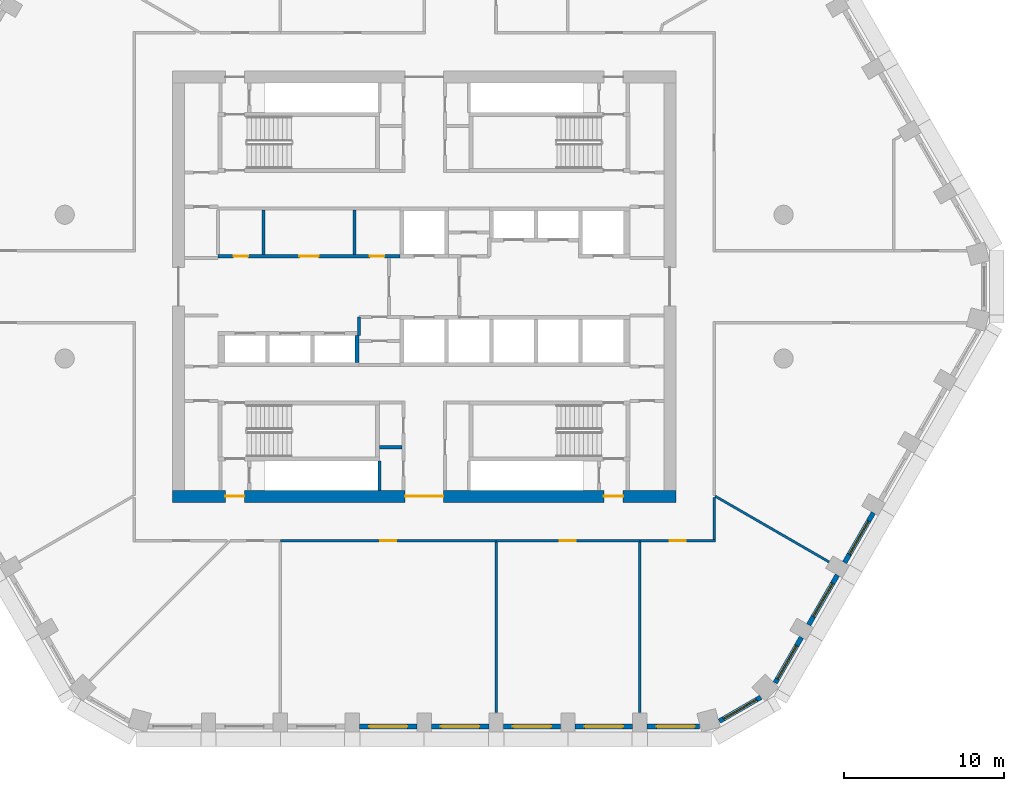
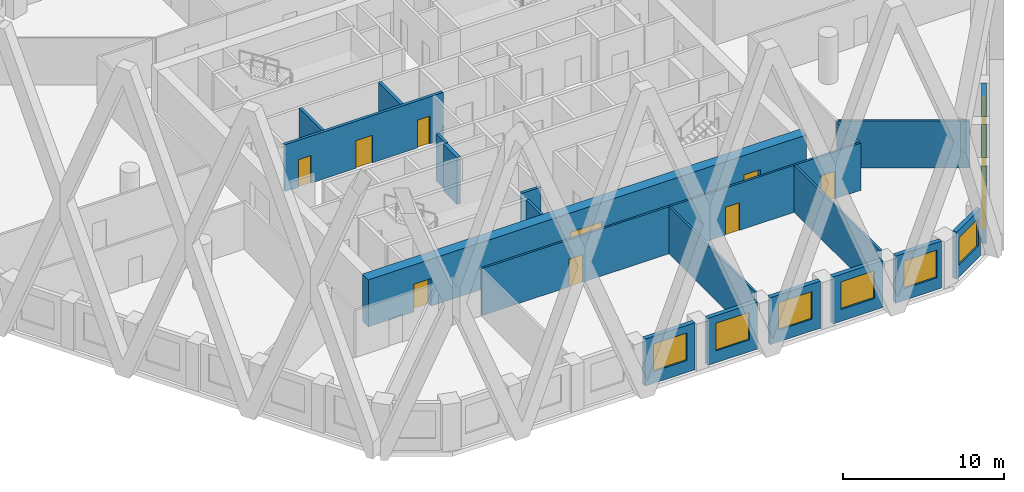
# One storey, part 3 of 17: 24 walls, 9 doors, 9 windows, 18 openings.
"""IFC4 building model written with IfcOpenShell, lengths in metres."""

from ifc_helpers import new_model, si_unit, direction, frame, frame_2d, origin, place, context, subcontext, project, spatial, polyline, rectangle, outline, extrude, material, layer, layer_set, type_object, element, fill, save


model = new_model("IFC4")

# Units and contexts
model_context = context("Model", 3, precision=1e-05, world=origin(), true_north=direction((0.0, 1.0)))
body_context = subcontext(model_context, "Body", "Model", "MODEL_VIEW")
ifc_project = project(units=[si_unit("LENGTHUNIT", "METRE"), si_unit("AREAUNIT", "SQUARE_METRE"), si_unit("VOLUMEUNIT", "CUBIC_METRE"), si_unit("PLANEANGLEUNIT", "RADIAN"), si_unit("MASSUNIT", "GRAM", prefix="KILO")], contexts=[model_context])

# Site, building, storey
site_placement = place(None, origin())
site = spatial("IfcSite", under=ifc_project, at=site_placement, CompositionType="ELEMENT")
building_placement = place(site_placement, origin())
building = spatial("IfcBuilding", under=site, at=building_placement, Name="Dhurran Vertical Campus", CompositionType="ELEMENT")
storey_placement = place(building_placement, frame((0.0, 0.0, 156.0)))
storey = spatial("IfcBuildingStorey", under=building, at=storey_placement, Name="L38", CompositionType="ELEMENT", Elevation=156.0)

# Wall, opening, window
ifc_material_1 = material(Name="Precast concrete C50/60", Category="concrete")
ifc_layer_1 = layer(ifc_material_1, 0.300048828125)
ifc_layer_set_1 = layer_set([ifc_layer_1], Name="Precast concrete C50/60")
wall_type_1 = type_object("IfcWallType", Name="Precast spandrel wall 300", PredefinedType="SOLIDWALL", material=ifc_layer_set_1)
wall_1_placement = place(storey_placement, frame((-4.049560546875, -27.53271484375, 0.0), z_axis=(0.0, 0.0, 1.0), x_axis=(1.0, 0.0, 0.0)))
wall_1 = element("IfcWall", 1, at=wall_1_placement, inside=storey, type_object=wall_type_1, Name="EW1 L38.03", PredefinedType="SOLIDWALL", context=body_context, shape_type="SweptSolid", body=[
    extrude(rectangle(XDim=3.59912109375, YDim=0.300048828125, at=frame_2d((1.799560546875, 0.0))), origin(), (0.0, 0.0, 1.0), 3.574951171875),
])
opening_1_placement = place(wall_1_placement, frame((0.599609375, 0.0, 0.89990234375)))
opening_1 = element("IfcOpeningElement", 2, at=opening_1_placement, cuts=wall_1, Name="Opening WT1", PredefinedType="OPENING", context=body_context, shape_type="SweptSolid", body=[
    extrude(rectangle(XDim=2.39990234375, YDim=2.10009765625, at=frame_2d((1.199951171875, 1.050048828125))), frame((0.0, 0.159912109375, 0.0), z_axis=(0.0, -1.0, 0.0), x_axis=(1.0, 0.0, 0.0)), (0.0, 0.0, 1.0), 0.320068359375),
])
ifc_material_2 = material(Name="Aluminium frame with solar-control glass", Category="aluminium")
window_type = type_object("IfcWindowType", Name="Punched window 2400 x 2100", PartitioningType="SINGLE_PANEL", PredefinedType="WINDOW", material=ifc_material_2)
window_1_placement = place(opening_1_placement, origin())
window_1 = element("IfcWindow", 3, at=window_1_placement, inside=storey, type_object=window_type, Name="WT1 L38.03", OverallHeight=2.10009765625, OverallWidth=2.39990234375, PartitioningType="SINGLE_PANEL", PredefinedType="WINDOW", context=body_context, shape_type="SweptSolid", body=[
    extrude(rectangle(XDim=2.39990234375, YDim=2.10009765625, at=frame_2d((1.199951171875, 1.050048828125))), frame((0.0, 0.030029296875, 0.0), z_axis=(0.0, -1.0, 0.0), x_axis=(1.0, 0.0, 0.0)), (0.0, 0.0, 1.0), 0.06005859375),
])
fill(opening_1, window_1)

wall_2_placement = place(storey_placement, frame((0.450439453125, -27.53271484375, 0.0), z_axis=(0.0, 0.0, 1.0), x_axis=(1.0, 0.0, 0.0)))
wall_2 = element("IfcWall", 4, at=wall_2_placement, inside=storey, type_object=wall_type_1, Name="EW1 L38.04", PredefinedType="SOLIDWALL", context=body_context, shape_type="SweptSolid", body=[
    extrude(rectangle(XDim=3.59912109375, YDim=0.300048828125, at=frame_2d((1.799560546875, 0.0))), origin(), (0.0, 0.0, 1.0), 3.574951171875),
])
opening_2_placement = place(wall_2_placement, frame((0.599609375, 0.0, 0.89990234375)))
opening_2 = element("IfcOpeningElement", 5, at=opening_2_placement, cuts=wall_2, Name="Opening WT1", PredefinedType="OPENING", context=body_context, shape_type="SweptSolid", body=[
    extrude(rectangle(XDim=2.39990234375, YDim=2.10009765625, at=frame_2d((1.199951171875, 1.050048828125))), frame((0.0, 0.159912109375, 0.0), z_axis=(0.0, -1.0, 0.0), x_axis=(1.0, 0.0, 0.0)), (0.0, 0.0, 1.0), 0.320068359375),
])
window_2_placement = place(opening_2_placement, origin())
window_2 = element("IfcWindow", 6, at=window_2_placement, inside=storey, type_object=window_type, Name="WT1 L38.04", OverallHeight=2.10009765625, OverallWidth=2.39990234375, PartitioningType="SINGLE_PANEL", PredefinedType="WINDOW", context=body_context, shape_type="SweptSolid", body=[
    extrude(rectangle(XDim=2.39990234375, YDim=2.10009765625, at=frame_2d((1.199951171875, 1.050048828125))), frame((0.0, 0.030029296875, 0.0), z_axis=(0.0, -1.0, 0.0), x_axis=(1.0, 0.0, 0.0)), (0.0, 0.0, 1.0), 0.06005859375),
])
fill(opening_2, window_2)

wall_3_placement = place(storey_placement, frame((4.950439453125, -27.53271484375, 0.0), z_axis=(0.0, 0.0, 1.0), x_axis=(1.0, 0.0, 0.0)))
wall_3 = element("IfcWall", 7, at=wall_3_placement, inside=storey, type_object=wall_type_1, Name="EW1 L38.05", PredefinedType="SOLIDWALL", context=body_context, shape_type="SweptSolid", body=[
    extrude(rectangle(XDim=3.59912109375, YDim=0.300048828125, at=frame_2d((1.799560546875, 0.0))), origin(), (0.0, 0.0, 1.0), 3.574951171875),
])
opening_3_placement = place(wall_3_placement, frame((0.599609375, 0.0, 0.89990234375)))
opening_3 = element("IfcOpeningElement", 8, at=opening_3_placement, cuts=wall_3, Name="Opening WT1", PredefinedType="OPENING", context=body_context, shape_type="SweptSolid", body=[
    extrude(rectangle(XDim=2.39990234375, YDim=2.10009765625, at=frame_2d((1.199951171875, 1.050048828125))), frame((0.0, 0.159912109375, 0.0), z_axis=(0.0, -1.0, 0.0), x_axis=(1.0, 0.0, 0.0)), (0.0, 0.0, 1.0), 0.320068359375),
])
window_3_placement = place(opening_3_placement, origin())
window_3 = element("IfcWindow", 9, at=window_3_placement, inside=storey, type_object=window_type, Name="WT1 L38.05", OverallHeight=2.10009765625, OverallWidth=2.39990234375, PartitioningType="SINGLE_PANEL", PredefinedType="WINDOW", context=body_context, shape_type="SweptSolid", body=[
    extrude(rectangle(XDim=2.39990234375, YDim=2.10009765625, at=frame_2d((1.199951171875, 1.050048828125))), frame((0.0, 0.030029296875, 0.0), z_axis=(0.0, -1.0, 0.0), x_axis=(1.0, 0.0, 0.0)), (0.0, 0.0, 1.0), 0.06005859375),
])
fill(opening_3, window_3)

wall_4_placement = place(storey_placement, frame((9.450439453125, -27.53271484375, 0.0), z_axis=(0.0, 0.0, 1.0), x_axis=(1.0, 0.0, 0.0)))
wall_4 = element("IfcWall", 10, at=wall_4_placement, inside=storey, type_object=wall_type_1, Name="EW1 L38.06", PredefinedType="SOLIDWALL", context=body_context, shape_type="SweptSolid", body=[
    extrude(rectangle(XDim=3.59912109375, YDim=0.300048828125, at=frame_2d((1.799560546875, 0.0))), origin(), (0.0, 0.0, 1.0), 3.574951171875),
])
opening_4_placement = place(wall_4_placement, frame((0.599609375, 0.0, 0.89990234375)))
opening_4 = element("IfcOpeningElement", 11, at=opening_4_placement, cuts=wall_4, Name="Opening WT1", PredefinedType="OPENING", context=body_context, shape_type="SweptSolid", body=[
    extrude(rectangle(XDim=2.39990234375, YDim=2.10009765625, at=frame_2d((1.199951171875, 1.050048828125))), frame((0.0, 0.159912109375, 0.0), z_axis=(0.0, -1.0, 0.0), x_axis=(1.0, 0.0, 0.0)), (0.0, 0.0, 1.0), 0.320068359375),
])
window_4_placement = place(opening_4_placement, origin())
window_4 = element("IfcWindow", 12, at=window_4_placement, inside=storey, type_object=window_type, Name="WT1 L38.06", OverallHeight=2.10009765625, OverallWidth=2.39990234375, PartitioningType="SINGLE_PANEL", PredefinedType="WINDOW", context=body_context, shape_type="SweptSolid", body=[
    extrude(rectangle(XDim=2.39990234375, YDim=2.10009765625, at=frame_2d((1.199951171875, 1.050048828125))), frame((0.0, 0.030029296875, 0.0), z_axis=(0.0, -1.0, 0.0), x_axis=(1.0, 0.0, 0.0)), (0.0, 0.0, 1.0), 0.06005859375),
])
fill(opening_4, window_4)

wall_5_placement = place(storey_placement, frame((13.950439453125, -27.53271484375, 0.0), z_axis=(0.0, 0.0, 1.0), x_axis=(1.0, 0.0, 0.0)))
wall_5 = element("IfcWall", 13, at=wall_5_placement, inside=storey, type_object=wall_type_1, Name="EW1 L38.07", PredefinedType="SOLIDWALL", context=body_context, shape_type="SweptSolid", body=[
    extrude(rectangle(XDim=3.294189453125, YDim=0.300048828125, at=frame_2d((1.64697265625, 0.0))), origin(), (0.0, 0.0, 1.0), 3.574951171875),
])
opening_5_placement = place(wall_5_placement, frame((0.599609375, 0.0, 0.89990234375)))
opening_5 = element("IfcOpeningElement", 14, at=opening_5_placement, cuts=wall_5, Name="Opening WT1", PredefinedType="OPENING", context=body_context, shape_type="SweptSolid", body=[
    extrude(rectangle(XDim=2.39990234375, YDim=2.10009765625, at=frame_2d((1.199951171875, 1.050048828125))), frame((0.0, 0.159912109375, 0.0), z_axis=(0.0, -1.0, 0.0), x_axis=(1.0, 0.0, 0.0)), (0.0, 0.0, 1.0), 0.320068359375),
])
window_5_placement = place(opening_5_placement, origin())
window_5 = element("IfcWindow", 15, at=window_5_placement, inside=storey, type_object=window_type, Name="WT1 L38.07", OverallHeight=2.10009765625, OverallWidth=2.39990234375, PartitioningType="SINGLE_PANEL", PredefinedType="WINDOW", context=body_context, shape_type="SweptSolid", body=[
    extrude(rectangle(XDim=2.39990234375, YDim=2.10009765625, at=frame_2d((1.199951171875, 1.050048828125))), frame((0.0, 0.030029296875, 0.0), z_axis=(0.0, -1.0, 0.0), x_axis=(1.0, 0.0, 0.0)), (0.0, 0.0, 1.0), 0.06005859375),
])
fill(opening_5, window_5)

wall_6_placement = place(storey_placement, frame((18.479248046875, -27.201904296875, 0.0), z_axis=(0.0, 0.0, 1.0), x_axis=(0.866012844897, 0.500021752, 0.0)))
wall_6 = element("IfcWall", 16, at=wall_6_placement, inside=storey, type_object=wall_type_1, Name="EW1 L38.08", PredefinedType="SOLIDWALL", context=body_context, shape_type="SweptSolid", body=[
    extrude(rectangle(XDim=2.989013671875, YDim=0.300048828125, at=frame_2d((1.49462890625, 0.0))), origin(), (0.0, 0.0, 1.0), 3.574951171875),
])
opening_6_placement = place(wall_6_placement, frame((0.294677734375, 0.0, 0.89990234375)))
opening_6 = element("IfcOpeningElement", 17, at=opening_6_placement, cuts=wall_6, Name="Opening WT1", PredefinedType="OPENING", context=body_context, shape_type="SweptSolid", body=[
    extrude(rectangle(XDim=2.39990234375, YDim=2.10009765625, at=frame_2d((1.199951171875, 1.050048828125))), frame((0.0, 0.159912109375, 0.0), z_axis=(0.0, -1.0, 0.0), x_axis=(1.0, 0.0, 0.0)), (0.0, 0.0, 1.0), 0.320068359375),
])
window_6_placement = place(opening_6_placement, origin())
window_6 = element("IfcWindow", 18, at=window_6_placement, inside=storey, type_object=window_type, Name="WT1 L38.08", OverallHeight=2.10009765625, OverallWidth=2.39990234375, PartitioningType="SINGLE_PANEL", PredefinedType="WINDOW", context=body_context, shape_type="SweptSolid", body=[
    extrude(rectangle(XDim=2.39990234375, YDim=2.10009765625, at=frame_2d((1.199951171875, 1.050048828125))), frame((0.0, 0.030029296875, 0.0), z_axis=(0.0, -1.0, 0.0), x_axis=(1.0, 0.0, 0.0)), (0.0, 0.0, 1.0), 0.06005859375),
])
fill(opening_6, window_6)

wall_7_placement = place(storey_placement, frame((21.9716796875, -24.803466796875, 0.0), z_axis=(0.0, 0.0, 1.0), x_axis=(0.500036802197, 0.866004154983, 0.0)))
wall_7 = element("IfcWall", 19, at=wall_7_placement, inside=storey, type_object=wall_type_1, Name="EW1 L38.09", PredefinedType="SOLIDWALL", context=body_context, shape_type="SweptSolid", body=[
    extrude(rectangle(XDim=3.294189453125, YDim=0.300048828125, at=frame_2d((1.64697265625, 0.0))), origin(), (0.0, 0.0, 1.0), 3.574951171875),
])
opening_7_placement = place(wall_7_placement, frame((0.29443359375, 0.0, 0.89990234375)))
opening_7 = element("IfcOpeningElement", 20, at=opening_7_placement, cuts=wall_7, Name="Opening WT1", PredefinedType="OPENING", context=body_context, shape_type="SweptSolid", body=[
    extrude(rectangle(XDim=2.39990234375, YDim=2.10009765625, at=frame_2d((1.199951171875, 1.050048828125))), frame((0.0, 0.159912109375, 0.0), z_axis=(0.0, -1.0, 0.0), x_axis=(1.0, 0.0, 0.0)), (0.0, 0.0, 1.0), 0.320068359375),
])
window_7_placement = place(opening_7_placement, origin())
window_7 = element("IfcWindow", 21, at=window_7_placement, inside=storey, type_object=window_type, Name="WT1 L38.09", OverallHeight=2.10009765625, OverallWidth=2.39990234375, PartitioningType="SINGLE_PANEL", PredefinedType="WINDOW", context=body_context, shape_type="SweptSolid", body=[
    extrude(rectangle(XDim=2.39990234375, YDim=2.10009765625, at=frame_2d((1.199951171875, 1.050048828125))), frame((0.0, 0.030029296875, 0.0), z_axis=(0.0, -1.0, 0.0), x_axis=(1.0, 0.0, 0.0)), (0.0, 0.0, 1.0), 0.06005859375),
])
fill(opening_7, window_7)

wall_8_placement = place(storey_placement, frame((24.0693359375, -21.17041015625, 0.0), z_axis=(0.0, 0.0, 1.0), x_axis=(0.500027802648, 0.866009351323, 0.0)))
wall_8 = element("IfcWall", 22, at=wall_8_placement, inside=storey, type_object=wall_type_1, Name="EW1 L38.10", PredefinedType="SOLIDWALL", context=body_context, shape_type="SweptSolid", body=[
    extrude(rectangle(XDim=3.598876953125, YDim=0.300048828125, at=frame_2d((1.79931640625, 0.0))), origin(), (0.0, 0.0, 1.0), 3.574951171875),
])
opening_8_placement = place(wall_8_placement, frame((0.599609375, 0.0, 0.89990234375)))
opening_8 = element("IfcOpeningElement", 23, at=opening_8_placement, cuts=wall_8, Name="Opening WT1", PredefinedType="OPENING", context=body_context, shape_type="SweptSolid", body=[
    extrude(rectangle(XDim=2.39990234375, YDim=2.10009765625, at=frame_2d((1.199951171875, 1.050048828125))), frame((0.0, 0.159912109375, 0.0), z_axis=(0.0, -1.0, 0.0), x_axis=(1.0, 0.0, 0.0)), (0.0, 0.0, 1.0), 0.320068359375),
])
window_8_placement = place(opening_8_placement, origin())
window_8 = element("IfcWindow", 24, at=window_8_placement, inside=storey, type_object=window_type, Name="WT1 L38.10", OverallHeight=2.10009765625, OverallWidth=2.39990234375, PartitioningType="SINGLE_PANEL", PredefinedType="WINDOW", context=body_context, shape_type="SweptSolid", body=[
    extrude(rectangle(XDim=2.39990234375, YDim=2.10009765625, at=frame_2d((1.199951171875, 1.050048828125))), frame((0.0, 0.030029296875, 0.0), z_axis=(0.0, -1.0, 0.0), x_axis=(1.0, 0.0, 0.0)), (0.0, 0.0, 1.0), 0.06005859375),
])
fill(opening_8, window_8)

wall_9_placement = place(storey_placement, frame((26.3193359375, -17.273193359375, 0.0), z_axis=(0.0, 0.0, 1.0), x_axis=(0.500027802648, 0.866009351323, 0.0)))
wall_9 = element("IfcWall", 25, at=wall_9_placement, inside=storey, type_object=wall_type_1, Name="EW1 L38.11", PredefinedType="SOLIDWALL", context=body_context, shape_type="SweptSolid", body=[
    extrude(rectangle(XDim=3.598876953125, YDim=0.300048828125, at=frame_2d((1.79931640625, 0.0))), origin(), (0.0, 0.0, 1.0), 3.574951171875),
])
opening_9_placement = place(wall_9_placement, frame((0.599609375, 0.0, 0.89990234375)))
opening_9 = element("IfcOpeningElement", 26, at=opening_9_placement, cuts=wall_9, Name="Opening WT1", PredefinedType="OPENING", context=body_context, shape_type="SweptSolid", body=[
    extrude(rectangle(XDim=2.39990234375, YDim=2.10009765625, at=frame_2d((1.199951171875, 1.050048828125))), frame((0.0, 0.159912109375, 0.0), z_axis=(0.0, -1.0, 0.0), x_axis=(1.0, 0.0, 0.0)), (0.0, 0.0, 1.0), 0.320068359375),
])
window_9_placement = place(opening_9_placement, origin())
window_9 = element("IfcWindow", 27, at=window_9_placement, inside=storey, type_object=window_type, Name="WT1 L38.11", OverallHeight=2.10009765625, OverallWidth=2.39990234375, PartitioningType="SINGLE_PANEL", PredefinedType="WINDOW", context=body_context, shape_type="SweptSolid", body=[
    extrude(rectangle(XDim=2.39990234375, YDim=2.10009765625, at=frame_2d((1.199951171875, 1.050048828125))), frame((0.0, 0.030029296875, 0.0), z_axis=(0.0, -1.0, 0.0), x_axis=(1.0, 0.0, 0.0)), (0.0, 0.0, 1.0), 0.06005859375),
])
fill(opening_9, window_9)

# Wall, openings, doors
ifc_material_3 = material(Name="Concrete C60/75", Category="concrete")
ifc_layer_2 = layer(ifc_material_3, 0.75)
ifc_layer_set_2 = layer_set([ifc_layer_2], Name="Concrete C60/75")
wall_type_2 = type_object("IfcWallType", Name="co-CORE-WALL-C1-750", PredefinedType="SHEAR", material=ifc_layer_set_2)
wall_10_placement = place(storey_placement, frame((-15.75, -13.125, 0.0), z_axis=(0.0, 0.0, 1.0), x_axis=(1.0, 0.0, 0.0)))
wall_10 = element("IfcWall", 28, at=wall_10_placement, inside=storey, type_object=wall_type_2, Name="Core wall S L38", PredefinedType="SHEAR", context=body_context, shape_type="SweptSolid", body=[
    extrude(rectangle(XDim=31.5, YDim=0.75, at=frame_2d((15.75, 0.0))), origin(), (0.0, 0.0, 1.0), 3.574951171875),
])
opening_10_placement = place(wall_10_placement, frame((14.550048828125, 0.0, 0.0)))
opening_10 = element("IfcOpeningElement", 29, at=opening_10_placement, cuts=wall_10, Name="Opening CV2", PredefinedType="OPENING", context=body_context, shape_type="SweptSolid", body=[
    extrude(rectangle(XDim=2.39990234375, YDim=2.10009765625, at=frame_2d((1.199951171875, 1.050048828125))), frame((0.0, 0.385009765625, 0.0), z_axis=(0.0, -1.0, 0.0), x_axis=(1.0, 0.0, 0.0)), (0.0, 0.0, 1.0), 0.77001953125),
])
opening_11_placement = place(wall_10_placement, frame((3.300048828125, 0.0, 0.0)))
opening_11 = element("IfcOpeningElement", 30, at=opening_11_placement, cuts=wall_10, Name="Opening XD3", PredefinedType="OPENING", context=body_context, shape_type="SweptSolid", body=[
    extrude(rectangle(XDim=1.199951171875, YDim=2.10009765625, at=frame_2d((0.60009765625, 1.050048828125))), frame((0.0, 0.385009765625, 0.0), z_axis=(0.0, -1.0, 0.0), x_axis=(1.0, 0.0, 0.0)), (0.0, 0.0, 1.0), 0.77001953125),
])
opening_12_placement = place(wall_10_placement, frame((27.0, 0.0, 0.0)))
opening_12 = element("IfcOpeningElement", 31, at=opening_12_placement, cuts=wall_10, Name="Opening XD4", PredefinedType="OPENING", context=body_context, shape_type="SweptSolid", body=[
    extrude(rectangle(XDim=1.199951171875, YDim=2.10009765625, at=frame_2d((0.60009765625, 1.050048828125))), frame((0.0, 0.385009765625, 0.0), z_axis=(0.0, -1.0, 0.0), x_axis=(1.0, 0.0, 0.0)), (0.0, 0.0, 1.0), 0.77001953125),
])
ifc_material_4 = material(Name="Fire-rated glazed door set")
door_type_1 = type_object("IfcDoorType", Name="co-D-LOBBY 2400x2100", OperationType="DOUBLE_DOOR_DOUBLE_SWING", PredefinedType="DOOR", material=ifc_material_4)
door_1_placement = place(opening_10_placement, origin())
door_1 = element("IfcDoor", 32, at=door_1_placement, inside=storey, type_object=door_type_1, Name="Core vestibule door S L38", OperationType="DOUBLE_DOOR_DOUBLE_SWING", OverallHeight=2.10009765625, OverallWidth=2.39990234375, PredefinedType="DOOR", context=body_context, shape_type="SweptSolid", body=[
    extrude(rectangle(XDim=2.39990234375, YDim=2.10009765625, at=frame_2d((1.199951171875, 1.050048828125))), frame((0.0, 0.02490234375, 0.0), z_axis=(0.0, -1.0, 0.0), x_axis=(1.0, 0.0, 0.0)), (0.0, 0.0, 1.0), 0.050048828125),
])
fill(opening_10, door_1)
ifc_material_5 = material(Name="Fire-rated steel door set", Category="steel")
door_type_2 = type_object("IfcDoorType", Name="co-D-STAIR-EXIT 1200x2100", OperationType="SINGLE_SWING_RIGHT", PredefinedType="DOOR", material=ifc_material_5)
door_2_placement = place(opening_11_placement, origin())
door_2 = element("IfcDoor", 33, at=door_2_placement, inside=storey, type_object=door_type_2, Name="Stair ST3 exit door L38", OperationType="SINGLE_SWING_RIGHT", OverallHeight=2.10009765625, OverallWidth=1.199951171875, PredefinedType="DOOR", context=body_context, shape_type="SweptSolid", body=[
    extrude(rectangle(XDim=1.199951171875, YDim=2.10009765625, at=frame_2d((0.60009765625, 1.050048828125))), frame((0.0, 0.02490234375, 0.0), z_axis=(0.0, -1.0, 0.0), x_axis=(1.0, 0.0, 0.0)), (0.0, 0.0, 1.0), 0.050048828125),
])
fill(opening_11, door_2)
door_3_placement = place(opening_12_placement, origin())
door_3 = element("IfcDoor", 34, at=door_3_placement, inside=storey, type_object=door_type_2, Name="Stair ST4 exit door L38", OperationType="SINGLE_SWING_RIGHT", OverallHeight=2.10009765625, OverallWidth=1.199951171875, PredefinedType="DOOR", context=body_context, shape_type="SweptSolid", body=[
    extrude(rectangle(XDim=1.199951171875, YDim=2.10009765625, at=frame_2d((0.60009765625, 1.050048828125))), frame((0.0, 0.02490234375, 0.0), z_axis=(0.0, -1.0, 0.0), x_axis=(1.0, 0.0, 0.0)), (0.0, 0.0, 1.0), 0.050048828125),
])
fill(opening_12, door_3)

# Walls
ifc_material_6 = material(Name="Fire-rated masonry blockwork", Category="masonry")
ifc_layer_3 = layer(ifc_material_6, 0.199951171875)
ifc_layer_set_3 = layer_set([ifc_layer_3], Name="Fire-rated masonry blockwork")
wall_type_3 = type_object("IfcWallType", Name="co-FIRE-PARTITION-200", PredefinedType="PARTITIONING", material=ifc_layer_set_3)
wall_11_placement = place(storey_placement, frame((-2.800048828125, -10.050048828125, 0.0), z_axis=(0.0, 0.0, 1.0), x_axis=(1.0, 0.0, 0.0)))
element("IfcWall", 35, at=wall_11_placement, inside=storey, type_object=wall_type_3, Name="Core partition sl-SW-cut0 L38", PredefinedType="PARTITIONING", context=body_context, shape_type="SweptSolid", body=[
    extrude(rectangle(XDim=1.400146484375, YDim=0.199951171875, at=frame_2d((0.7001953125, 0.0))), origin(), (0.0, 0.0, 1.0), 3.574951171875),
])
for number, where, z_axis, x_axis, name in (
    (36, (-10.056396484375, 2.0, 0.0), (0.0, 0.0, 1.0), (0.0, 1.0, 0.0), "Core partition fr-N0-cut0 L38"),
    (37, (-4.368896484375, 2.0, 0.0), (0.0, 0.0, 1.0), (0.0, 1.0, 0.0), "Core partition fr-N0-cut1 L38"),
):
    element("IfcWall", number, at=place(storey_placement, frame(where, z_axis=z_axis, x_axis=x_axis)), inside=storey, type_object=wall_type_3, Name=name, PredefinedType="PARTITIONING", context=body_context, shape_type="SweptSolid", body=[
        extrude(rectangle(XDim=2.800048828125, YDim=0.199951171875, at=frame_2d((1.39990234375, 0.0))), origin(), (0.0, 0.0, 1.0), 3.574951171875),
    ])

# Wall, openings, doors
wall_12_placement = place(storey_placement, frame((-12.89990234375, 1.89990234375, 0.0), z_axis=(0.0, 0.0, 1.0), x_axis=(1.0, 0.0, 0.0)))
wall_12 = element("IfcWall", 38, at=wall_12_placement, inside=storey, type_object=wall_type_3, Name="Core partition fr-N0-f L38", PredefinedType="PARTITIONING", context=body_context, shape_type="SweptSolid", body=[
    extrude(rectangle(XDim=11.375, YDim=0.199951171875, at=frame_2d((5.6875, 0.0))), origin(), (0.0, 0.0, 1.0), 3.574951171875),
])
opening_13_placement = place(wall_12_placement, frame((0.971923828125, 0.0, 0.0)))
opening_13 = element("IfcOpeningElement", 39, at=opening_13_placement, cuts=wall_12, Name="Opening T11-C20", PredefinedType="OPENING", context=body_context, shape_type="SweptSolid", body=[
    extrude(rectangle(XDim=0.89990234375, YDim=2.10009765625, at=frame_2d((0.449951171875, 1.050048828125))), frame((0.0, 0.10986328125, 0.0), z_axis=(0.0, -1.0, 0.0), x_axis=(1.0, 0.0, 0.0)), (0.0, 0.0, 1.0), 0.219970703125),
])
opening_14_placement = place(wall_12_placement, frame((5.08740234375, 0.0, 0.0)))
opening_14 = element("IfcOpeningElement", 40, at=opening_14_placement, cuts=wall_12, Name="Opening T11-C21", PredefinedType="OPENING", context=body_context, shape_type="SweptSolid", body=[
    extrude(rectangle(XDim=1.199951171875, YDim=2.10009765625, at=frame_2d((0.60009765625, 1.050048828125))), frame((0.0, 0.10986328125, 0.0), z_axis=(0.0, -1.0, 0.0), x_axis=(1.0, 0.0, 0.0)), (0.0, 0.0, 1.0), 0.219970703125),
])
opening_15_placement = place(wall_12_placement, frame((9.503173828125, 0.0, 0.0)))
opening_15 = element("IfcOpeningElement", 41, at=opening_15_placement, cuts=wall_12, Name="Opening T11-C22", PredefinedType="OPENING", context=body_context, shape_type="SweptSolid", body=[
    extrude(rectangle(XDim=0.89990234375, YDim=2.10009765625, at=frame_2d((0.449951171875, 1.050048828125))), frame((0.0, 0.10986328125, 0.0), z_axis=(0.0, -1.0, 0.0), x_axis=(1.0, 0.0, 0.0)), (0.0, 0.0, 1.0), 0.219970703125),
])
ifc_material_7 = material(Name="Fire-rated timber door set", Category="wood")
door_type_3 = type_object("IfcDoorType", Name="co-D-ROOM 900x2100", OperationType="SINGLE_SWING_LEFT", PredefinedType="DOOR", material=ifc_material_7)
door_4_placement = place(opening_13_placement, origin())
door_4 = element("IfcDoor", 42, at=door_4_placement, inside=storey, type_object=door_type_3, Name="Plant room door L38", OperationType="SINGLE_SWING_LEFT", OverallHeight=2.10009765625, OverallWidth=0.89990234375, PredefinedType="DOOR", context=body_context, shape_type="SweptSolid", body=[
    extrude(rectangle(XDim=0.89990234375, YDim=2.10009765625, at=frame_2d((0.449951171875, 1.050048828125))), frame((0.0, 0.02490234375, 0.0), z_axis=(0.0, -1.0, 0.0), x_axis=(1.0, 0.0, 0.0)), (0.0, 0.0, 1.0), 0.050048828125),
])
fill(opening_13, door_4)
door_5_placement = place(opening_15_placement, origin())
door_5 = element("IfcDoor", 43, at=door_5_placement, inside=storey, type_object=door_type_3, Name="Plant room door L38", OperationType="SINGLE_SWING_LEFT", OverallHeight=2.10009765625, OverallWidth=0.89990234375, PredefinedType="DOOR", context=body_context, shape_type="SweptSolid", body=[
    extrude(rectangle(XDim=0.89990234375, YDim=2.10009765625, at=frame_2d((0.449951171875, 1.050048828125))), frame((0.0, 0.02490234375, 0.0), z_axis=(0.0, -1.0, 0.0), x_axis=(1.0, 0.0, 0.0)), (0.0, 0.0, 1.0), 0.050048828125),
])
fill(opening_15, door_5)
ifc_material_8 = material(Name="Fire-rated steel door set", Category="steel")
door_type_4 = type_object("IfcDoorType", Name="co-D-ROOM-PASSAGE 1200x2100", OperationType="SINGLE_SWING_RIGHT", PredefinedType="DOOR", material=ifc_material_8)
door_6_placement = place(opening_14_placement, origin())
door_6 = element("IfcDoor", 44, at=door_6_placement, inside=storey, type_object=door_type_4, Name="Pantry door L38", OperationType="SINGLE_SWING_RIGHT", OverallHeight=2.10009765625, OverallWidth=1.199951171875, PredefinedType="DOOR", context=body_context, shape_type="SweptSolid", body=[
    extrude(rectangle(XDim=1.199951171875, YDim=2.10009765625, at=frame_2d((0.60009765625, 1.050048828125))), frame((0.0, 0.02490234375, 0.0), z_axis=(0.0, -1.0, 0.0), x_axis=(1.0, 0.0, 0.0)), (0.0, 0.0, 1.0), 0.050048828125),
])
fill(opening_14, door_6)

# Walls
wall_13_placement = place(storey_placement, frame((-4.074951171875, -1.89990234375, 0.0), z_axis=(0.0, 0.0, 1.0), x_axis=(0.0, -1.0, 0.0)))
element("IfcWall", 45, at=wall_13_placement, inside=storey, type_object=wall_type_3, Name="Core partition fr-S0-n0 L38", PredefinedType="PARTITIONING", context=body_context, shape_type="SweptSolid", body=[
    extrude(rectangle(XDim=1.150146484375, YDim=0.199951171875, at=frame_2d((0.5751953125, 0.0))), origin(), (0.0, 0.0, 1.0), 3.574951171875),
])
wall_14_placement = place(storey_placement, frame((-2.800048828125, -12.7490234375, 0.0), z_axis=(0.0, 0.0, 1.0), x_axis=(0.0, 1.0, 0.0)))
element("IfcWall", 46, at=wall_14_placement, inside=storey, type_object=wall_type_3, Name="Riser enclosure wall L38", PredefinedType="PARTITIONING", context=body_context, shape_type="SweptSolid", body=[
    extrude(rectangle(XDim=1.84814453125, YDim=0.199951171875, at=frame_2d((0.924072265625, 0.0))), origin(), (0.0, 0.0, 1.0), 3.574951171875),
])
ifc_material_9 = material(Name="Concrete C50/60", Category="concrete")
ifc_layer_4 = layer(ifc_material_9, 0.25)
ifc_layer_set_4 = layer_set([ifc_layer_4], Name="Concrete C50/60")
wall_type_4 = type_object("IfcWallType", Name="co-SHAFT-MASS-250", PredefinedType="SHEAR", material=ifc_layer_set_4)
wall_15_placement = place(storey_placement, origin())
element("IfcWall", 47, at=wall_15_placement, inside=storey, type_object=wall_type_4, Name="Lift shaft wall S L38 6", PredefinedType="SHEAR", context=body_context, shape_type="SweptSolid", body=[
    extrude(outline(polyline([(-4.324951171875, -4.75), (-4.074951171875, -4.75), (-4.074951171875, -3.050048828125), (-4.324951171875, -3.050048828125), (-4.324951171875, -4.75)])), origin(), (0.0, 0.0, 1.0), 3.574951171875),
])

# Wall, opening, door
ifc_material_10 = material(Name="Gypsum board corridor wall on steel studs", Category="steel")
ifc_layer_5 = layer(ifc_material_10, 0.14990234375)
ifc_layer_set_5 = layer_set([ifc_layer_5], Name="Gypsum board corridor wall on steel studs")
wall_type_5 = type_object("IfcWallType", Name="fl-CW-150 corridor wall", PredefinedType="PARTITIONING", material=ifc_layer_set_5)
wall_16_placement = place(storey_placement, frame((-9.0, -15.89990234375, 0.0), z_axis=(0.0, 0.0, 1.0), x_axis=(1.0, 0.0, 0.0)))
wall_16 = element("IfcWall", 48, at=wall_16_placement, inside=storey, type_object=wall_type_5, Name="Partition 38-14", PredefinedType="PARTITIONING", context=body_context, shape_type="SweptSolid", body=[
    extrude(rectangle(XDim=13.5, YDim=0.14990234375, at=frame_2d((6.75, 0.0))), origin(), (0.0, 0.0, 1.0), 3.574951171875),
])
opening_16_placement = place(wall_16_placement, frame((6.25, 0.0, 0.0)))
opening_16 = element("IfcOpeningElement", 49, at=opening_16_placement, cuts=wall_16, Name="Opening T11.09", PredefinedType="OPENING", context=body_context, shape_type="SweptSolid", body=[
    extrude(rectangle(XDim=1.0, YDim=2.10009765625, at=frame_2d((0.5, 1.050048828125))), frame((0.0, 0.0849609375, 0.0), z_axis=(0.0, -1.0, 0.0), x_axis=(1.0, 0.0, 0.0)), (0.0, 0.0, 1.0), 0.169921875),
])
ifc_material_11 = material(Name="Solid-core timber door set, fire-rated", Category="wood")
door_type_5 = type_object("IfcDoorType", Name="fl-D-1000x2100", OperationType="SINGLE_SWING_LEFT", PredefinedType="DOOR", material=ifc_material_11)
door_7_placement = place(opening_16_placement, origin())
door_7 = element("IfcDoor", 50, at=door_7_placement, inside=storey, type_object=door_type_5, Name="Door 38.09", OperationType="SINGLE_SWING_LEFT", OverallHeight=2.10009765625, OverallWidth=1.0, PredefinedType="DOOR", context=body_context, shape_type="SweptSolid", body=[
    extrude(rectangle(XDim=1.0, YDim=2.10009765625, at=frame_2d((0.5, 1.050048828125))), frame((0.0, 0.02490234375, 0.0), z_axis=(0.0, -1.0, 0.0), x_axis=(1.0, 0.0, 0.0)), (0.0, 0.0, 1.0), 0.050048828125),
])
fill(opening_16, door_7)

wall_17_placement = place(storey_placement, frame((4.5, -15.89990234375, 0.0), z_axis=(0.0, 0.0, 1.0), x_axis=(1.0, 0.0, 0.0)))
wall_17 = element("IfcWall", 51, at=wall_17_placement, inside=storey, type_object=wall_type_5, Name="Partition 38-25", PredefinedType="PARTITIONING", context=body_context, shape_type="SweptSolid", body=[
    extrude(rectangle(XDim=9.0, YDim=0.14990234375, at=frame_2d((4.5, 0.0))), origin(), (0.0, 0.0, 1.0), 3.574951171875),
])
opening_17_placement = place(wall_17_placement, frame((4.0, 0.0, 0.0)))
opening_17 = element("IfcOpeningElement", 52, at=opening_17_placement, cuts=wall_17, Name="Opening T11.12", PredefinedType="OPENING", context=body_context, shape_type="SweptSolid", body=[
    extrude(rectangle(XDim=1.0, YDim=2.10009765625, at=frame_2d((0.5, 1.050048828125))), frame((0.0, 0.0849609375, 0.0), z_axis=(0.0, -1.0, 0.0), x_axis=(1.0, 0.0, 0.0)), (0.0, 0.0, 1.0), 0.169921875),
])
door_8_placement = place(opening_17_placement, origin())
door_8 = element("IfcDoor", 53, at=door_8_placement, inside=storey, type_object=door_type_5, Name="Door 38.12", OperationType="SINGLE_SWING_LEFT", OverallHeight=2.10009765625, OverallWidth=1.0, PredefinedType="DOOR", context=body_context, shape_type="SweptSolid", body=[
    extrude(rectangle(XDim=1.0, YDim=2.10009765625, at=frame_2d((0.5, 1.050048828125))), frame((0.0, 0.02490234375, 0.0), z_axis=(0.0, -1.0, 0.0), x_axis=(1.0, 0.0, 0.0)), (0.0, 0.0, 1.0), 0.050048828125),
])
fill(opening_17, door_8)

wall_18_placement = place(storey_placement, frame((13.5, -15.89990234375, 0.0), z_axis=(0.0, 0.0, 1.0), x_axis=(1.0, 0.0, 0.0)))
wall_18 = element("IfcWall", 54, at=wall_18_placement, inside=storey, type_object=wall_type_5, Name="Partition 38-34", PredefinedType="PARTITIONING", context=body_context, shape_type="SweptSolid", body=[
    extrude(rectangle(XDim=4.72509765625, YDim=0.14990234375, at=frame_2d((2.362548828125, 0.0))), origin(), (0.0, 0.0, 1.0), 3.574951171875),
])
opening_18_placement = place(wall_18_placement, frame((1.862548828125, 0.0, 0.0)))
opening_18 = element("IfcOpeningElement", 55, at=opening_18_placement, cuts=wall_18, Name="Opening T11.14", PredefinedType="OPENING", context=body_context, shape_type="SweptSolid", body=[
    extrude(rectangle(XDim=1.0, YDim=2.10009765625, at=frame_2d((0.5, 1.050048828125))), frame((0.0, 0.0849609375, 0.0), z_axis=(0.0, -1.0, 0.0), x_axis=(1.0, 0.0, 0.0)), (0.0, 0.0, 1.0), 0.169921875),
])
door_9_placement = place(opening_18_placement, origin())
door_9 = element("IfcDoor", 56, at=door_9_placement, inside=storey, type_object=door_type_5, Name="Door 38.14", OperationType="SINGLE_SWING_LEFT", OverallHeight=2.10009765625, OverallWidth=1.0, PredefinedType="DOOR", context=body_context, shape_type="SweptSolid", body=[
    extrude(rectangle(XDim=1.0, YDim=2.10009765625, at=frame_2d((0.5, 1.050048828125))), frame((0.0, 0.02490234375, 0.0), z_axis=(0.0, -1.0, 0.0), x_axis=(1.0, 0.0, 0.0)), (0.0, 0.0, 1.0), 0.050048828125),
])
fill(opening_18, door_9)

# Walls
wall_19_placement = place(storey_placement, frame((18.14990234375, -15.824951171875, 0.0), z_axis=(0.0, 0.0, 1.0), x_axis=(0.0, 1.0, 0.0)))
element("IfcWall", 57, at=wall_19_placement, inside=storey, type_object=wall_type_5, Name="Partition 38-38", PredefinedType="PARTITIONING", context=body_context, shape_type="SweptSolid", body=[
    extrude(rectangle(XDim=2.617919921875, YDim=0.14990234375, at=frame_2d((1.30908203125, 0.0))), origin(), (0.0, 0.0, 1.0), 3.574951171875),
])
ifc_material_12 = material(Name="Folding acoustic partition panels")
ifc_layer_6 = layer(ifc_material_12, 0.14990234375)
ifc_layer_set_6 = layer_set([ifc_layer_6], Name="Folding acoustic partition panels")
wall_type_6 = type_object("IfcWallType", Name="fl-MW-150 movable partition", PredefinedType="MOVABLE", material=ifc_layer_set_6)
for number, where, z_axis, x_axis, name in (
    (58, (4.5, -15.97509765625, 0.0), (0.0, 0.0, 1.0), (0.0, -1.0, 0.0), "Partition 38-24"),
    (59, (13.5, -15.97509765625, 0.0), (0.0, 0.0, 1.0), (0.0, -1.0, 0.0), "Partition 38-33"),
):
    element("IfcWall", number, at=place(storey_placement, frame(where, z_axis=z_axis, x_axis=x_axis)), inside=storey, type_object=wall_type_6, Name=name, PredefinedType="MOVABLE", context=body_context, shape_type="SweptSolid", body=[
        extrude(rectangle(XDim=10.6875, YDim=0.14990234375, at=frame_2d((5.34375, 0.0))), origin(), (0.0, 0.0, 1.0), 3.574951171875),
    ])
ifc_material_13 = material(Name="Gypsum board partition on steel studs", Category="steel")
ifc_layer_7 = layer(ifc_material_13, 0.14990234375)
ifc_layer_set_7 = layer_set([ifc_layer_7], Name="Gypsum board partition on steel studs")
wall_type_7 = type_object("IfcWallType", Name="fl-PW-150 fixed partition", PredefinedType="PARTITIONING", material=ifc_layer_set_7)
wall_20_placement = place(storey_placement, frame((18.215087890625, -13.114501953125, 0.0), z_axis=(0.0, 0.0, 1.0), x_axis=(0.866039823271, -0.499975023885, 0.0)))
element("IfcWall", 60, at=wall_20_placement, inside=storey, type_object=wall_type_7, Name="Partition 38-40", PredefinedType="PARTITIONING", context=body_context, shape_type="SweptSolid", body=[
    extrude(rectangle(XDim=8.22802734375, YDim=0.14990234375, at=frame_2d((4.114013671875, 0.0))), origin(), (0.0, 0.0, 1.0), 3.574951171875),
])

save(model, "model.ifc")
